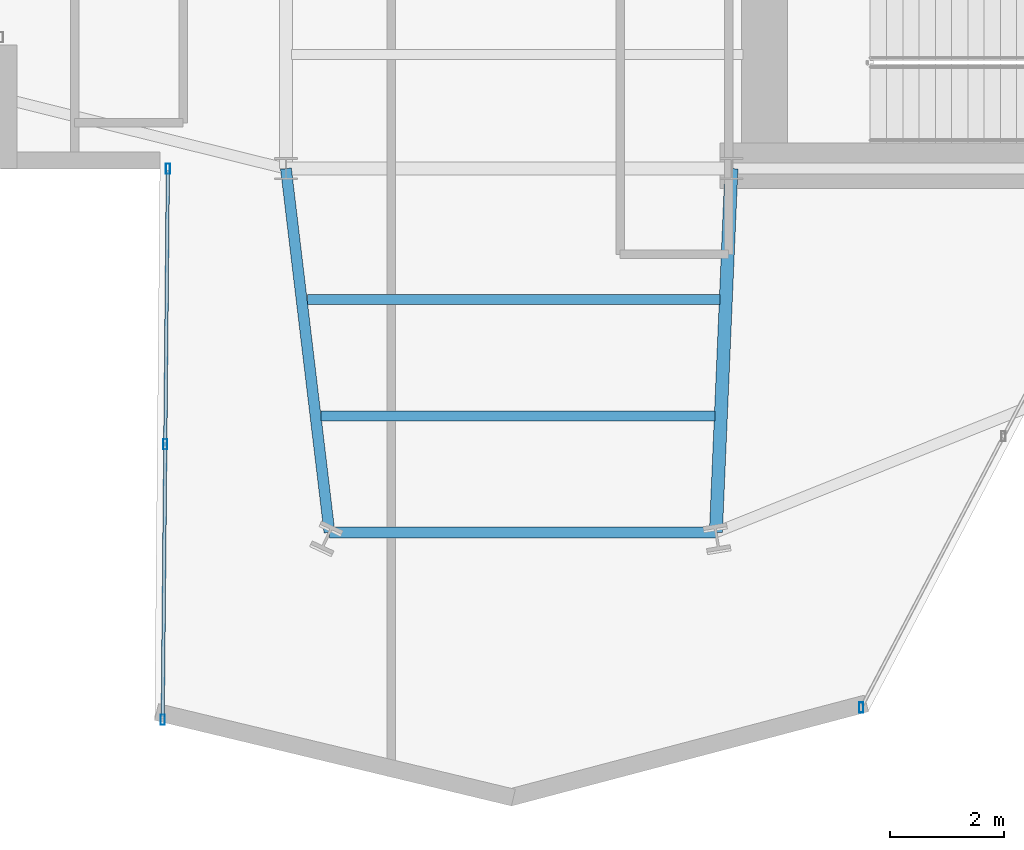
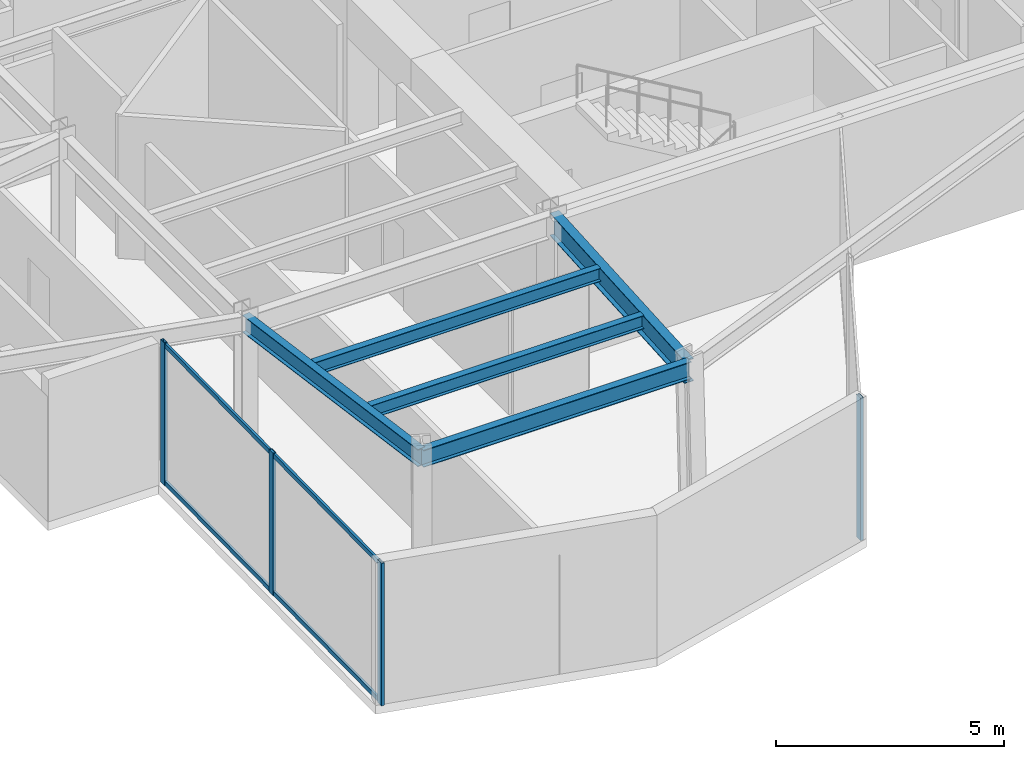
# One storey, part 4 of 25: 6 members, 5 beams, 2 elements without a shape of their own.
"""IFC4 building model written with IfcOpenShell, lengths in metres."""

from ifc_helpers import new_model, si_unit, direction, frame, origin, origin_2d, place, context, subcontext, project, spatial, hollow_rectangle, i_section, extrude, material, layer, layer_set, material_profile, profile_set, type_object, element, aggregate, save


model = new_model("IFC4")

# Units and contexts
model_context = context("Model", 3, precision=1e-05, world=origin(), true_north=direction((0.0, 1.0)))
body_context = subcontext(model_context, "Body", "Model", "MODEL_VIEW")
ifc_project = project(units=[si_unit("LENGTHUNIT", "METRE"), si_unit("AREAUNIT", "SQUARE_METRE"), si_unit("VOLUMEUNIT", "CUBIC_METRE"), si_unit("PLANEANGLEUNIT", "RADIAN"), si_unit("MASSUNIT", "GRAM", prefix="KILO")], contexts=[model_context])

# Site, building, storey
site_placement = place(None, origin())
site = spatial("IfcSite", under=ifc_project, at=site_placement, CompositionType="ELEMENT")
building_placement = place(site_placement, origin())
building = spatial("IfcBuilding", under=site, at=building_placement, Name="Veymaron Broadcast Tower", CompositionType="ELEMENT")
storey_placement = place(building_placement, frame((0.0, 0.0, 149.25)))
storey = spatial("IfcBuildingStorey", under=building, at=storey_placement, Name="L34", CompositionType="ELEMENT", Elevation=149.25)

# Beams
ifc_material_1 = material(Name="Structural steel ASTM A992 Gr 50", Category="steel")
ifc_material_profile_1 = material_profile(ifc_material_1, i_section(OverallWidth=0.22802734375, OverallDepth=0.60791015625, WebThickness=0.01123046875, FlangeThickness=0.017333984375, at=origin_2d()), Name="W610X113")
ifc_profile_set_1 = profile_set([ifc_material_profile_1], Name="Structural steel ASTM A992 Gr 50")
beam_type_1 = type_object("IfcBeamType", Name="BM-FG2", PredefinedType="BEAM", material=ifc_profile_set_1)
beam_1_placement = place(storey_placement, frame((39.0, 16.0, 3.506103515625), z_axis=(-0.04267091012, -0.99908918192, 0.0), x_axis=(0.99908918192, -0.04267091012, 0.0)))
element("IfcBeam", 1, at=beam_1_placement, inside=storey, type_object=beam_type_1, Name="L34 primary structural floor girder", PredefinedType="BEAM", context=body_context, shape_type="SweptSolid", body=[
    extrude(i_section(OverallWidth=0.22802734375, OverallDepth=0.60791015625, WebThickness=0.01123046875, FlangeThickness=0.017333984375, at=origin_2d()), origin(), (0.0, 0.0, 1.0), 6.373779296875),
])
ifc_material_profile_2 = material_profile(ifc_material_1, i_section(OverallWidth=0.1708984375, OverallDepth=0.35498046875, WebThickness=0.007080078125, FlangeThickness=0.01171875, at=origin_2d()), Name="W360X51")
ifc_profile_set_2 = profile_set([ifc_material_profile_2], Name="Structural steel ASTM A992 Gr 50")
beam_type_2 = type_object("IfcBeamType", Name="BM-JS2", PredefinedType="JOIST", material=ifc_profile_set_2)
beam_2_placement = place(storey_placement, frame((31.57421875, 13.70751953125, 3.632568359375), z_axis=(1.0, 0.0, 0.0), x_axis=(0.0, 1.0, 0.0)))
element("IfcBeam", 2, at=beam_2_placement, inside=storey, type_object=beam_type_2, Name="L34 Arm-C secondary joist 1", PredefinedType="JOIST", context=body_context, shape_type="SweptSolid", body=[
    extrude(i_section(OverallWidth=0.1708984375, OverallDepth=0.35498046875, WebThickness=0.007080078125, FlangeThickness=0.01171875, at=origin_2d()), origin(), (0.0, 0.0, 1.0), 7.227783203125),
])
beam_3_placement = place(storey_placement, frame((31.81787109375, 11.669921875, 3.632568359375), z_axis=(1.0, 0.0, 0.0), x_axis=(0.0, 1.0, 0.0)))
element("IfcBeam", 3, at=beam_3_placement, inside=storey, type_object=beam_type_2, Name="L34 Arm-C secondary joist 2", PredefinedType="JOIST", context=body_context, shape_type="SweptSolid", body=[
    extrude(i_section(OverallWidth=0.1708984375, OverallDepth=0.35498046875, WebThickness=0.007080078125, FlangeThickness=0.01171875, at=origin_2d()), origin(), (0.0, 0.0, 1.0), 6.897216796875),
])
ifc_material_profile_3 = material_profile(ifc_material_1, i_section(OverallWidth=0.19091796875, OverallDepth=0.4599609375, WebThickness=0.010009765625, FlangeThickness=0.01611328125, at=origin_2d()), Name="W460X82")
ifc_profile_set_3 = profile_set([ifc_material_profile_3], Name="Structural steel ASTM A992 Gr 50")
beam_type_3 = type_object("IfcBeamType", Name="BM-SP1", PredefinedType="SPANDREL", material=ifc_profile_set_3)
beam_4_placement = place(storey_placement, frame((31.199951171875, 16.0, 3.580078125), z_axis=(0.118771439522, -0.992921620851, 0.0), x_axis=(0.992921620851, 0.118771439522, 0.0)))
element("IfcBeam", 4, at=beam_4_placement, inside=storey, type_object=beam_type_3, Name="L34 primary structural floor girder", PredefinedType="SPANDREL", context=body_context, shape_type="SweptSolid", body=[
    extrude(i_section(OverallWidth=0.19091796875, OverallDepth=0.4599609375, WebThickness=0.010009765625, FlangeThickness=0.01611328125, at=origin_2d()), origin(), (0.0, 0.0, 1.0), 6.413330078125),
])
beam_5_placement = place(storey_placement, frame((31.961669921875, 9.632080078125, 3.580078125), z_axis=(1.0, 0.0, 0.0), x_axis=(0.0, 1.0, 0.0)))
element("IfcBeam", 5, at=beam_5_placement, inside=storey, type_object=beam_type_3, Name="L34 primary structural floor girder", PredefinedType="SPANDREL", context=body_context, shape_type="SweptSolid", body=[
    extrude(i_section(OverallWidth=0.19091796875, OverallDepth=0.4599609375, WebThickness=0.010009765625, FlangeThickness=0.01611328125, at=origin_2d()), origin(), (0.0, 0.0, 1.0), 6.766357421875),
])

# Curtain wall, members
ifc_material_2 = material(Name="Anodised aluminium AA 6063-T6 and laminated low-E dark glass", Category="aluminium")
ifc_layer = layer(ifc_material_2, 0.179931640625)
ifc_layer_set = layer_set([ifc_layer], Name="Anodised aluminium AA 6063-T6 and laminated low-E dark glass")
curtain_wall_type = type_object("IfcCurtainWallType", Name="CW-SYS-03", PredefinedType="NOTDEFINED", material=ifc_layer_set)
curtain_wall_1_placement = place(storey_placement, origin())
curtain_wall_1 = element("IfcCurtainWall", 6, at=curtain_wall_1_placement, inside=storey, type_object=curtain_wall_type, Name="L34 dark-glass curtain wall CW-L34-E17-1", PredefinedType="NOTDEFINED")
ifc_material_3 = material(Name="Anodised aluminium AA 6063-T6", Category="aluminium")
ifc_material_profile_4 = material_profile(ifc_material_3, hollow_rectangle(XDim=0.074951171875, YDim=0.179931640625, WallThickness=0.0048828125, at=origin_2d()), Name="AL180X75X5")
ifc_profile_set_4 = profile_set([ifc_material_profile_4], Name="Anodised aluminium AA 6063-T6")
member_type_1 = type_object("IfcMemberType", Name="CW-MUL-02", PredefinedType="MULLION", material=ifc_profile_set_4)
member_1_placement = place(storey_placement, frame((29.132568359375, 15.998779296875, 0.0), z_axis=(0.0, 0.0, 1.0), x_axis=(1.0, 0.0, 0.0)))
member_1 = element("IfcMember", 7, at=member_1_placement, type_object=member_type_1, Name="CW-L34-E17-1 mullion 0", PredefinedType="MULLION", context=body_context, shape_type="SweptSolid", body=[
    extrude(hollow_rectangle(XDim=0.074951171875, YDim=0.179931640625, WallThickness=0.0048828125, at=origin_2d()), origin(), (0.0, 0.0, 1.0), 3.81005859375),
])
member_2_placement = place(storey_placement, frame((29.08740234375, 11.173583984375, 0.0), z_axis=(0.0, 0.0, 1.0), x_axis=(1.0, 0.0, 0.0)))
member_2 = element("IfcMember", 8, at=member_2_placement, type_object=member_type_1, Name="CW-L34-E17-1 mullion 1", PredefinedType="MULLION", context=body_context, shape_type="SweptSolid", body=[
    extrude(hollow_rectangle(XDim=0.074951171875, YDim=0.179931640625, WallThickness=0.0048828125, at=origin_2d()), origin(), (0.0, 0.0, 1.0), 3.81005859375),
])
member_3_placement = place(storey_placement, frame((29.042236328125, 6.3486328125, 0.0), z_axis=(0.0, 0.0, 1.0), x_axis=(1.0, 0.0, 0.0)))
member_3 = element("IfcMember", 9, at=member_3_placement, type_object=member_type_1, Name="CW-L34-E17-1 mullion 2", PredefinedType="MULLION", context=body_context, shape_type="SweptSolid", body=[
    extrude(hollow_rectangle(XDim=0.074951171875, YDim=0.179931640625, WallThickness=0.0048828125, at=origin_2d()), origin(), (0.0, 0.0, 1.0), 3.81005859375),
])

# Curtain wall, member
curtain_wall_2_placement = place(storey_placement, origin())
curtain_wall_2 = element("IfcCurtainWall", 10, at=curtain_wall_2_placement, inside=storey, type_object=curtain_wall_type, Name="L34 dark-glass curtain wall CW-L34-E20-1", PredefinedType="NOTDEFINED")
member_4_placement = place(storey_placement, frame((41.273681640625, 6.56494140625, 0.0), z_axis=(0.0, 0.0, 1.0), x_axis=(1.0, 0.0, 0.0)))
member_4 = element("IfcMember", 11, at=member_4_placement, type_object=member_type_1, Name="CW-L34-E20-1 mullion 0", PredefinedType="MULLION", context=body_context, shape_type="SweptSolid", body=[
    extrude(hollow_rectangle(XDim=0.074951171875, YDim=0.179931640625, WallThickness=0.0048828125, at=origin_2d()), origin(), (0.0, 0.0, 1.0), 3.81005859375),
])
aggregate(curtain_wall_2, [member_4])

# Member
ifc_material_profile_5 = material_profile(ifc_material_3, hollow_rectangle(XDim=0.06005859375, YDim=0.1201171875, WallThickness=0.00390625, at=origin_2d()), Name="AL120X60X4")
ifc_profile_set_5 = profile_set([ifc_material_profile_5], Name="Anodised aluminium AA 6063-T6")
member_type_2 = type_object("IfcMemberType", Name="CW-TRN-02", PredefinedType="USERDEFINED", material=ifc_profile_set_5)
member_5_placement = place(storey_placement, frame((29.132080078125, 15.94873046875, 0.070068359375), z_axis=(-0.009356136215, -0.9999562304, 0.0), x_axis=(0.9999562304, -0.009356136215, 0.0)))
member_5 = element("IfcMember", 12, at=member_5_placement, type_object=member_type_2, Name="CW-L34-E17-1 transom B", ObjectType="TRANSOM", PredefinedType="USERDEFINED", context=body_context, shape_type="SweptSolid", body=[
    extrude(hollow_rectangle(XDim=0.06005859375, YDim=0.1201171875, WallThickness=0.00390625, at=origin_2d()), origin(), (0.0, 0.0, 1.0), 9.550537109375),
])

member_6_placement = place(storey_placement, frame((29.132080078125, 15.94873046875, 3.739990234375), z_axis=(-0.009356136215, -0.9999562304, 0.0), x_axis=(0.9999562304, -0.009356136215, 0.0)))
member_6 = element("IfcMember", 13, at=member_6_placement, type_object=member_type_2, Name="CW-L34-E17-1 transom T", ObjectType="TRANSOM", PredefinedType="USERDEFINED", context=body_context, shape_type="SweptSolid", body=[
    extrude(hollow_rectangle(XDim=0.06005859375, YDim=0.1201171875, WallThickness=0.00390625, at=origin_2d()), origin(), (0.0, 0.0, 1.0), 9.550537109375),
])

aggregate(curtain_wall_1, [member_1, member_2, member_3, member_5, member_6])

save(model, "model.ifc")
